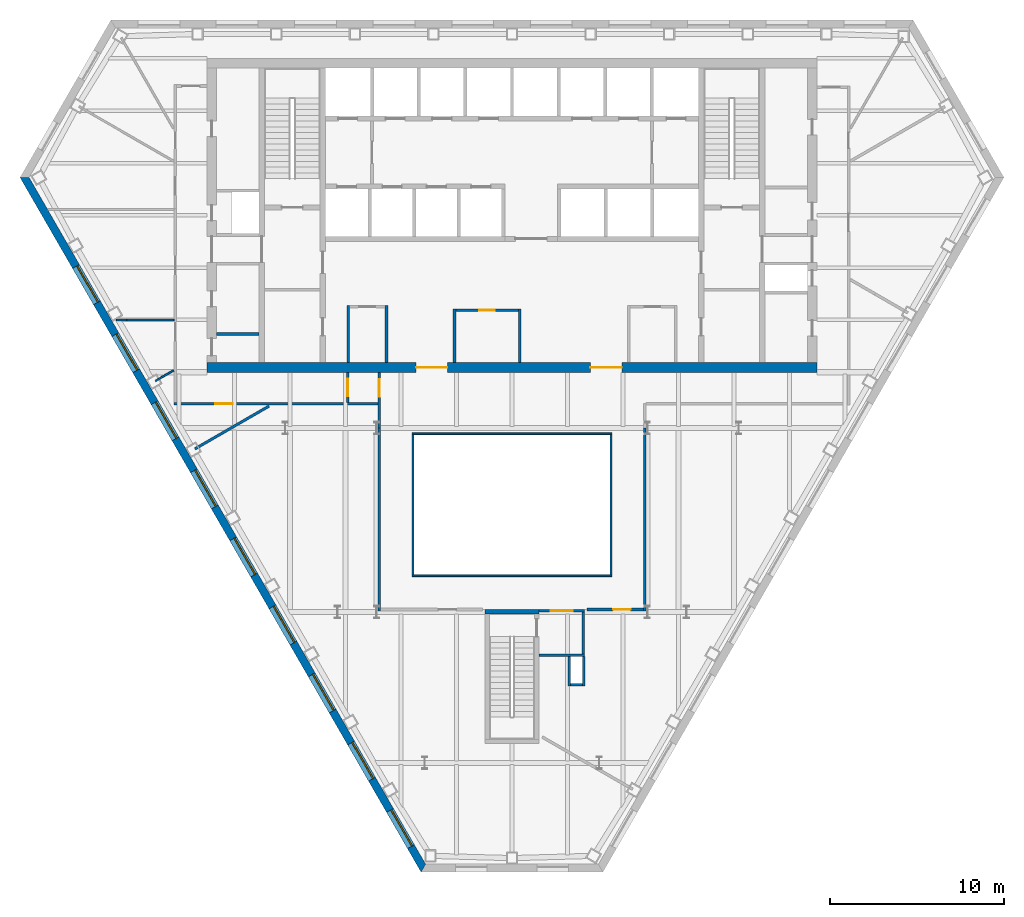
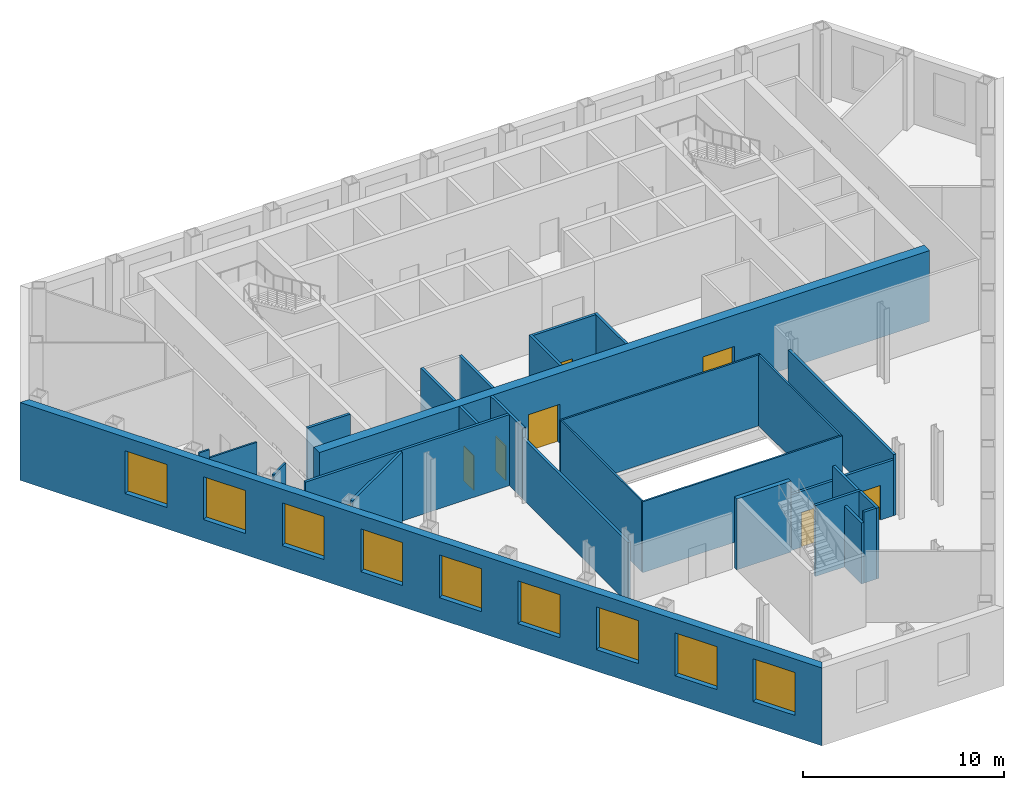
# One storey, part 4 of 11: 29 walls, 9 windows, 8 doors, 17 openings.
"""IFC4 building model written with IfcOpenShell, lengths in metres."""

from ifc_helpers import new_model, si_unit, direction, frame, frame_2d, origin, place, context, subcontext, project, spatial, polyline, rectangle, outline, extrude, material, layer, layer_set, type_object, element, fill, save


model = new_model("IFC4")

# Units and contexts
model_context = context("Model", 3, precision=1e-05, world=origin(), true_north=direction((0.0, 1.0)))
body_context = subcontext(model_context, "Body", "Model", "MODEL_VIEW")
ifc_project = project(units=[si_unit("LENGTHUNIT", "METRE"), si_unit("AREAUNIT", "SQUARE_METRE"), si_unit("VOLUMEUNIT", "CUBIC_METRE"), si_unit("PLANEANGLEUNIT", "RADIAN"), si_unit("MASSUNIT", "GRAM", prefix="KILO")], contexts=[model_context])

# Site, building, storey
site_placement = place(None, origin())
site = spatial("IfcSite", under=ifc_project, at=site_placement, CompositionType="ELEMENT")
building_placement = place(site_placement, origin())
building = spatial("IfcBuilding", under=site, at=building_placement, Name="Njiva Tower", CompositionType="ELEMENT")
storey_placement = place(building_placement, frame((0.0, 0.0, 93.3)))
storey = spatial("IfcBuildingStorey", under=building, at=storey_placement, Name="L19", CompositionType="ELEMENT", Elevation=93.3)

# Walls
ifc_material_1 = material(Name="Blockwork", Category="masonry")
ifc_layer_1 = layer(ifc_material_1, 0.15)
ifc_layer_set_1 = layer_set([ifc_layer_1], Name="Blockwork")
wall_type_1 = type_object("IfcWallType", Name="WT1 Compartment partition 150", PredefinedType="PARTITIONING", material=ifc_layer_set_1)
wall_1_placement = place(storey_placement, frame((-16.95, 2.1948, 0.0), z_axis=(0.0, 0.0, 1.0), x_axis=(1.0, 0.0, 0.0)))
element("IfcWall", 1, at=wall_1_placement, inside=storey, type_object=wall_type_1, Name="Partition strip W00", PredefinedType="PARTITIONING", context=body_context, shape_type="SweptSolid", body=[
    extrude(rectangle(XDim=2.45, YDim=0.15, at=frame_2d((1.225, 0.0))), origin(), (0.0, 0.0, 1.0), 4.3),
])
for number, where, z_axis, x_axis, name in (
    (2, (-9.4, 0.55, 0.0), (0.0, 0.0, 1.0), (0.0, 1.0, 0.0), "Concierge office wall west"),
    (3, (-7.2, 0.55, 0.0), (0.0, 0.0, 1.0), (0.0, 1.0, 0.0), "Concierge office wall east"),
):
    element("IfcWall", number, at=place(storey_placement, frame(where, z_axis=z_axis, x_axis=x_axis)), inside=storey, type_object=wall_type_1, Name=name, PredefinedType="PARTITIONING", context=body_context, shape_type="SweptSolid", body=[
        extrude(rectangle(XDim=3.275, YDim=0.15, at=frame_2d((1.6375, 0.0))), origin(), (0.0, 0.0, 1.0), 4.3),
    ])
for number, where, z_axis, x_axis, name in (
    (4, (-3.3, 0.55, 0.0), (0.0, 0.0, 1.0), (0.0, 1.0, 0.0), "Post room wall west"),
    (5, (0.45, 0.55, 0.0), (0.0, 0.0, 1.0), (0.0, 1.0, 0.0), "Post room wall east"),
):
    element("IfcWall", number, at=place(storey_placement, frame(where, z_axis=z_axis, x_axis=x_axis)), inside=storey, type_object=wall_type_1, Name=name, PredefinedType="PARTITIONING", context=body_context, shape_type="SweptSolid", body=[
        extrude(rectangle(XDim=3.075, YDim=0.15, at=frame_2d((1.5375, 0.0))), origin(), (0.0, 0.0, 1.0), 4.3),
    ])

# Wall, opening, door
wall_2_placement = place(storey_placement, frame((-3.225, 3.55, 0.0), z_axis=(0.0, 0.0, 1.0), x_axis=(1.0, 0.0, 0.0)))
wall_2 = element("IfcWall", 6, at=wall_2_placement, inside=storey, type_object=wall_type_1, Name="Post room wall north", PredefinedType="PARTITIONING", context=body_context, shape_type="SweptSolid", body=[
    extrude(rectangle(XDim=3.6, YDim=0.15, at=frame_2d((1.8, 0.0))), origin(), (0.0, 0.0, 1.0), 4.3),
])
opening_1_placement = place(wall_2_placement, frame((1.35, 0.0, 0.0)))
opening_1 = element("IfcOpeningElement", 7, at=opening_1_placement, cuts=wall_2, Name="Opening S06-D933", PredefinedType="OPENING", context=body_context, shape_type="SweptSolid", body=[
    extrude(rectangle(XDim=0.9, YDim=2.1, at=frame_2d((0.45, 1.05))), frame((0.0, 0.085, 0.0), z_axis=(0.0, -1.0, 0.0), x_axis=(1.0, 0.0, 0.0)), (0.0, 0.0, 1.0), 0.17),
])
ifc_material_2 = material(Name="Steel fire door, painted", Category="steel")
door_type_1 = type_object("IfcDoorType", Name="D6 Fire-rated door 900x2100", OperationType="SINGLE_SWING_LEFT", PredefinedType="DOOR", material=ifc_material_2)
door_1_placement = place(opening_1_placement, origin())
door_1 = element("IfcDoor", 8, at=door_1_placement, inside=storey, type_object=door_type_1, Name="Post room door", OperationType="SINGLE_SWING_LEFT", OverallHeight=2.1, OverallWidth=0.9, PredefinedType="DOOR", context=body_context, shape_type="SweptSolid", body=[
    extrude(rectangle(XDim=0.9, YDim=2.1, at=frame_2d((0.45, 1.05))), frame((0.0, 0.025, 0.0), z_axis=(0.0, -1.0, 0.0), x_axis=(1.0, 0.0, 0.0)), (0.0, 0.0, 1.0), 0.05),
])
fill(opening_1, door_1)

# Wall, openings, doors
ifc_material_3 = material(Name="Concrete C60/75", Category="concrete")
ifc_layer_2 = layer(ifc_material_3, 0.55)
ifc_layer_set_2 = layer_set([ifc_layer_2], Name="Concrete C60/75")
wall_type_2 = type_object("IfcWallType", Name="WT14 Core wall 550", PredefinedType="SHEAR", material=ifc_layer_set_2)
wall_3_placement = place(storey_placement, frame((-17.5, 0.275, 0.0), z_axis=(0.0, 0.0, 1.0), x_axis=(1.0, 0.0, 0.0)))
wall_3 = element("IfcWall", 9, at=wall_3_placement, inside=storey, type_object=wall_type_2, Name="Core wall south", PredefinedType="SHEAR", context=body_context, shape_type="SweptSolid", body=[
    extrude(rectangle(XDim=35.0, YDim=0.55, at=frame_2d((17.5, 0.0))), origin(), (0.0, 0.0, 1.0), 4.3),
])
opening_2_placement = place(wall_3_placement, frame((12.0, 0.0, 0.0)))
opening_2 = element("IfcOpeningElement", 10, at=opening_2_placement, cuts=wall_3, Name="Opening S06-D936", PredefinedType="OPENING", context=body_context, shape_type="SweptSolid", body=[
    extrude(rectangle(XDim=1.8, YDim=2.4, at=frame_2d((0.9, 1.2))), frame((0.0, 0.285, 0.0), z_axis=(0.0, -1.0, 0.0), x_axis=(1.0, 0.0, 0.0)), (0.0, 0.0, 1.0), 0.57),
])
opening_3_placement = place(wall_3_placement, frame((22.0, 0.0, 0.0)))
opening_3 = element("IfcOpeningElement", 11, at=opening_3_placement, cuts=wall_3, Name="Opening S06-D937", PredefinedType="OPENING", context=body_context, shape_type="SweptSolid", body=[
    extrude(rectangle(XDim=1.8, YDim=2.4, at=frame_2d((0.9, 1.2))), frame((0.0, 0.285, 0.0), z_axis=(0.0, -1.0, 0.0), x_axis=(1.0, 0.0, 0.0)), (0.0, 0.0, 1.0), 0.57),
])
ifc_material_4 = material(Name="Steel and glass door", Category="steel")
door_type_2 = type_object("IfcDoorType", Name="D3 Core entrance door 1800x2400", OperationType="DOUBLE_DOOR_SINGLE_SWING", PredefinedType="DOOR", material=ifc_material_4)
door_2_placement = place(opening_2_placement, origin())
door_2 = element("IfcDoor", 12, at=door_2_placement, inside=storey, type_object=door_type_2, Name="Core entrance door", OperationType="DOUBLE_DOOR_SINGLE_SWING", OverallHeight=2.4, OverallWidth=1.8, PredefinedType="DOOR", context=body_context, shape_type="SweptSolid", body=[
    extrude(rectangle(XDim=1.8, YDim=2.4, at=frame_2d((0.9, 1.2))), frame((0.0, 0.025, 0.0), z_axis=(0.0, -1.0, 0.0), x_axis=(1.0, 0.0, 0.0)), (0.0, 0.0, 1.0), 0.05),
])
fill(opening_2, door_2)
door_3_placement = place(opening_3_placement, origin())
door_3 = element("IfcDoor", 13, at=door_3_placement, inside=storey, type_object=door_type_2, Name="Core entrance door", OperationType="DOUBLE_DOOR_SINGLE_SWING", OverallHeight=2.4, OverallWidth=1.8, PredefinedType="DOOR", context=body_context, shape_type="SweptSolid", body=[
    extrude(rectangle(XDim=1.8, YDim=2.4, at=frame_2d((0.9, 1.2))), frame((0.0, 0.025, 0.0), z_axis=(0.0, -1.0, 0.0), x_axis=(1.0, 0.0, 0.0)), (0.0, 0.0, 1.0), 0.05),
])
fill(opening_3, door_3)

# Walls
ifc_material_5 = material(Name="Gypsum board on steel studs", Category="gypsum")
ifc_layer_3 = layer(ifc_material_5, 0.1)
ifc_layer_set_3 = layer_set([ifc_layer_3], Name="Gypsum board on steel studs")
wall_type_3 = type_object("IfcWallType", Name="WT20 Gypsum partition 100", PredefinedType="PARTITIONING", material=ifc_layer_set_3)
wall_4_placement = place(storey_placement, frame((-22.68, 3.004, 0.0), z_axis=(0.0, 0.0, 1.0), x_axis=(0.999998795663, -0.001551989854, 0.0)))
element("IfcWall", 14, at=wall_4_placement, inside=storey, type_object=wall_type_3, Name="Partition S06-P003", PredefinedType="PARTITIONING", context=body_context, shape_type="SweptSolid", body=[
    extrude(rectangle(XDim=0.5799, YDim=0.1, at=frame_2d((0.29, 0.0))), origin(), (0.0, 0.0, 1.0), 4.3),
])
wall_5_placement = place(storey_placement, frame((-22.1001, 3.0031, 0.0), z_axis=(0.0, 0.0, 1.0), x_axis=(0.999998868194, -0.001504530241, 0.0)))
element("IfcWall", 15, at=wall_5_placement, inside=storey, type_object=wall_type_3, Name="Partition S06-P003A", PredefinedType="PARTITIONING", context=body_context, shape_type="SweptSolid", body=[
    extrude(rectangle(XDim=2.7251, YDim=0.1, at=frame_2d((1.3626, 0.0))), origin(), (0.0, 0.0, 1.0), 3.8),
])
wall_6_placement = place(storey_placement, frame((-20.44, -0.49, 0.0), z_axis=(0.0, 0.0, 1.0), x_axis=(0.866546020567, 0.499097179154, 0.0)))
element("IfcWall", 16, at=wall_6_placement, inside=storey, type_object=wall_type_3, Name="Partition S06-P005", PredefinedType="PARTITIONING", context=body_context, shape_type="SweptSolid", body=[
    extrude(rectangle(XDim=1.2002, YDim=0.1, at=frame_2d((0.6001, 0.0))), origin(), (0.0, 0.0, 1.0), 4.3),
])

# Wall, opening, door
ifc_layer_4 = layer(ifc_material_5, 0.15)
ifc_layer_set_4 = layer_set([ifc_layer_4], Name="Gypsum board on steel studs")
wall_type_4 = type_object("IfcWallType", Name="WT21 Compartment wall 150", PredefinedType="PARTITIONING", material=ifc_layer_set_4)
wall_7_placement = place(storey_placement, frame((-19.375, -1.8, 0.0), z_axis=(0.0, 0.0, 1.0), x_axis=(1.0, 0.0, 0.0)))
wall_7 = element("IfcWall", 17, at=wall_7_placement, inside=storey, type_object=wall_type_4, Name="Partition S06-P006", PredefinedType="PARTITIONING", context=body_context, shape_type="SweptSolid", body=[
    extrude(rectangle(XDim=11.69, YDim=0.15, at=frame_2d((5.845, 0.0))), origin(), (0.0, 0.0, 1.0), 4.3),
])
opening_4_placement = place(wall_7_placement, frame((2.365, 0.0, 0.0)))
opening_4 = element("IfcOpeningElement", 18, at=opening_4_placement, cuts=wall_7, Name="Opening S06-D001", PredefinedType="OPENING", context=body_context, shape_type="SweptSolid", body=[
    extrude(rectangle(XDim=1.0, YDim=2.1, at=frame_2d((0.5, 1.05))), frame((0.0, 0.085, 0.0), z_axis=(0.0, -1.0, 0.0), x_axis=(1.0, 0.0, 0.0)), (0.0, 0.0, 1.0), 0.17),
])
ifc_material_6 = material(Name="Steel fire door set", Category="steel")
door_type_3 = type_object("IfcDoorType", Name="D37 Fire door 1000x2100", OperationType="SINGLE_SWING_LEFT", PredefinedType="DOOR", material=ifc_material_6)
door_4_placement = place(opening_4_placement, origin())
door_4 = element("IfcDoor", 19, at=door_4_placement, inside=storey, type_object=door_type_3, Name="Door S06-D001", OperationType="SINGLE_SWING_LEFT", OverallHeight=2.1, OverallWidth=1.0, PredefinedType="DOOR", context=body_context, shape_type="SweptSolid", body=[
    extrude(rectangle(XDim=1.0, YDim=2.1, at=frame_2d((0.5, 1.05))), frame((0.0, 0.025, 0.0), z_axis=(0.0, -1.0, 0.0), x_axis=(1.0, 0.0, 0.0)), (0.0, 0.0, 1.0), 0.05),
])
fill(opening_4, door_4)

# Wall
wall_8_placement = place(storey_placement, frame((-18.186, -4.394, 0.0), z_axis=(0.0, 0.0, 1.0), x_axis=(0.866053278629, 0.499951716245, 0.0)))
element("IfcWall", 20, at=wall_8_placement, inside=storey, type_object=wall_type_4, Name="Partition S06-P011", PredefinedType="PARTITIONING", context=body_context, shape_type="SweptSolid", body=[
    extrude(rectangle(XDim=4.9085, YDim=0.15, at=frame_2d((2.4542, 0.0))), origin(), (0.0, 0.0, 1.0), 4.3),
])

# Wall, opening, door
wall_9_placement = place(storey_placement, frame((-9.41, -1.725, 0.0), z_axis=(0.0, 0.0, 1.0), x_axis=(0.0, 1.0, 0.0)))
wall_9 = element("IfcWall", 21, at=wall_9_placement, inside=storey, type_object=wall_type_4, Name="Partition S06-P012", PredefinedType="PARTITIONING", context=body_context, shape_type="SweptSolid", body=[
    extrude(rectangle(XDim=1.725, YDim=0.15, at=frame_2d((0.8625, 0.0))), origin(), (0.0, 0.0, 1.0), 4.3),
])
opening_5_placement = place(wall_9_placement, frame((0.363, 0.0, 0.0)))
opening_5 = element("IfcOpeningElement", 22, at=opening_5_placement, cuts=wall_9, Name="Opening S06-D007", PredefinedType="OPENING", context=body_context, shape_type="SweptSolid", body=[
    extrude(rectangle(XDim=1.0, YDim=2.1, at=frame_2d((0.5, 1.05))), frame((0.0, 0.085, 0.0), z_axis=(0.0, -1.0, 0.0), x_axis=(1.0, 0.0, 0.0)), (0.0, 0.0, 1.0), 0.17),
])
door_5_placement = place(opening_5_placement, origin())
door_5 = element("IfcDoor", 23, at=door_5_placement, inside=storey, type_object=door_type_3, Name="Door S06-D007", OperationType="SINGLE_SWING_LEFT", OverallHeight=2.1, OverallWidth=1.0, PredefinedType="DOOR", context=body_context, shape_type="SweptSolid", body=[
    extrude(rectangle(XDim=1.0, YDim=2.1, at=frame_2d((0.5, 1.05))), frame((0.0, 0.025, 0.0), z_axis=(0.0, -1.0, 0.0), x_axis=(1.0, 0.0, 0.0)), (0.0, 0.0, 1.0), 0.05),
])
fill(opening_5, door_5)

# Wall
wall_10_placement = place(storey_placement, frame((-7.61, -13.675, 0.0), z_axis=(0.0, 0.0, 1.0), x_axis=(0.0, 1.0, 0.0)))
element("IfcWall", 24, at=wall_10_placement, inside=storey, type_object=wall_type_4, Name="Partition S06-P013", PredefinedType="PARTITIONING", context=body_context, shape_type="SweptSolid", body=[
    extrude(rectangle(XDim=10.475, YDim=0.15, at=frame_2d((5.2375, 0.0))), origin(), (0.0, 0.0, 1.0), 3.7),
])

# Wall, opening, door
wall_11_placement = place(storey_placement, frame((-7.61, -3.2, 0.0), z_axis=(0.0, 0.0, 1.0), x_axis=(0.0, 1.0, 0.0)))
wall_11 = element("IfcWall", 25, at=wall_11_placement, inside=storey, type_object=wall_type_4, Name="Partition S06-P013A", PredefinedType="PARTITIONING", context=body_context, shape_type="SweptSolid", body=[
    extrude(rectangle(XDim=3.2, YDim=0.15, at=frame_2d((1.6, 0.0))), origin(), (0.0, 0.0, 1.0), 4.3),
])
opening_6_placement = place(wall_11_placement, frame((1.8, 0.0, 0.0)))
opening_6 = element("IfcOpeningElement", 26, at=opening_6_placement, cuts=wall_11, Name="Opening S06-D008", PredefinedType="OPENING", context=body_context, shape_type="SweptSolid", body=[
    extrude(rectangle(XDim=1.0, YDim=2.1, at=frame_2d((0.5, 1.05))), frame((0.0, 0.085, 0.0), z_axis=(0.0, -1.0, 0.0), x_axis=(1.0, 0.0, 0.0)), (0.0, 0.0, 1.0), 0.17),
])
door_6_placement = place(opening_6_placement, origin())
door_6 = element("IfcDoor", 27, at=door_6_placement, inside=storey, type_object=door_type_3, Name="Door S06-D008", OperationType="SINGLE_SWING_LEFT", OverallHeight=2.1, OverallWidth=1.0, PredefinedType="DOOR", context=body_context, shape_type="SweptSolid", body=[
    extrude(rectangle(XDim=1.0, YDim=2.1, at=frame_2d((0.5, 1.05))), frame((0.0, 0.025, 0.0), z_axis=(0.0, -1.0, 0.0), x_axis=(1.0, 0.0, 0.0)), (0.0, 0.0, 1.0), 0.05),
])
fill(opening_6, door_6)

wall_12_placement = place(storey_placement, frame((4.3, -13.6, 0.0), z_axis=(0.0, 0.0, 1.0), x_axis=(1.0, 0.0, 0.0)))
wall_12 = element("IfcWall", 28, at=wall_12_placement, inside=storey, type_object=wall_type_4, Name="Partition S06-P016", PredefinedType="PARTITIONING", context=body_context, shape_type="SweptSolid", body=[
    extrude(rectangle(XDim=3.235, YDim=0.15, at=frame_2d((1.6175, 0.0))), origin(), (0.0, 0.0, 1.0), 3.39),
])
opening_7_placement = place(wall_12_placement, frame((1.498, 0.0, 0.0)))
opening_7 = element("IfcOpeningElement", 29, at=opening_7_placement, cuts=wall_12, Name="Opening S06-D010", PredefinedType="OPENING", context=body_context, shape_type="SweptSolid", body=[
    extrude(rectangle(XDim=1.0, YDim=2.1, at=frame_2d((0.5, 1.05))), frame((0.0, 0.085, 0.0), z_axis=(0.0, -1.0, 0.0), x_axis=(1.0, 0.0, 0.0)), (0.0, 0.0, 1.0), 0.17),
])
door_7_placement = place(opening_7_placement, origin())
door_7 = element("IfcDoor", 30, at=door_7_placement, inside=storey, type_object=door_type_3, Name="Door S06-D010", OperationType="SINGLE_SWING_RIGHT", OverallHeight=2.1, OverallWidth=1.0, PredefinedType="DOOR", context=body_context, shape_type="SweptSolid", body=[
    extrude(rectangle(XDim=1.0, YDim=2.1, at=frame_2d((0.5, 1.05))), frame((0.0, 0.025, 0.0), z_axis=(0.0, -1.0, 0.0), x_axis=(1.0, 0.0, 0.0)), (0.0, 0.0, 1.0), 0.05),
])
fill(opening_7, door_7)

# Walls
wall_13_placement = place(storey_placement, frame((7.61, -13.675, 0.0), z_axis=(0.0, 0.0, 1.0), x_axis=(0.0, 1.0, 0.0)))
element("IfcWall", 31, at=wall_13_placement, inside=storey, type_object=wall_type_4, Name="Partition S06-P017", PredefinedType="PARTITIONING", context=body_context, shape_type="SweptSolid", body=[
    extrude(rectangle(XDim=10.475, YDim=0.15, at=frame_2d((5.2375, 0.0))), origin(), (0.0, 0.0, 1.0), 3.7),
])
ifc_layer_5 = layer(ifc_material_1, 0.15)
ifc_layer_set_5 = layer_set([ifc_layer_5], Name="Blockwork")
wall_type_5 = type_object("IfcWallType", Name="WT4 Stair partition 150", PredefinedType="PARTITIONING", material=ifc_layer_set_5)
wall_14_placement = place(storey_placement, frame((1.55, -16.225, 0.0), z_axis=(0.0, 0.0, 1.0), x_axis=(1.0, 0.0, 0.0)))
element("IfcWall", 32, at=wall_14_placement, inside=storey, type_object=wall_type_5, Name="Stair C vestibule wall south", PredefinedType="PARTITIONING", context=body_context, shape_type="SweptSolid", body=[
    extrude(rectangle(XDim=2.6, YDim=0.15, at=frame_2d((1.3, 0.0))), origin(), (0.0, 0.0, 1.0), 4.3),
])
wall_15_placement = place(storey_placement, frame((4.075, -16.15, 0.0), z_axis=(0.0, 0.0, 1.0), x_axis=(0.0, 1.0, 0.0)))
element("IfcWall", 33, at=wall_15_placement, inside=storey, type_object=wall_type_5, Name="Stair C vestibule wall east", PredefinedType="PARTITIONING", context=body_context, shape_type="SweptSolid", body=[
    extrude(rectangle(XDim=2.4, YDim=0.15, at=frame_2d((1.2, 0.0))), origin(), (0.0, 0.0, 1.0), 4.3),
])

# Wall, opening, door
wall_16_placement = place(storey_placement, frame((1.55, -13.675, 0.0), z_axis=(0.0, 0.0, 1.0), x_axis=(1.0, 0.0, 0.0)))
wall_16 = element("IfcWall", 34, at=wall_16_placement, inside=storey, type_object=wall_type_5, Name="Stair C vestibule wall north", PredefinedType="PARTITIONING", context=body_context, shape_type="SweptSolid", body=[
    extrude(rectangle(XDim=2.6, YDim=0.15, at=frame_2d((1.3, 0.0))), origin(), (0.0, 0.0, 1.0), 3.39),
])
opening_8_placement = place(wall_16_placement, frame((0.675, 0.0, 0.0)))
opening_8 = element("IfcOpeningElement", 35, at=opening_8_placement, cuts=wall_16, Name="Opening S06-D939", PredefinedType="OPENING", context=body_context, shape_type="SweptSolid", body=[
    extrude(rectangle(XDim=1.25, YDim=2.1, at=frame_2d((0.625, 1.05))), frame((0.0, 0.085, 0.0), z_axis=(0.0, -1.0, 0.0), x_axis=(1.0, 0.0, 0.0)), (0.0, 0.0, 1.0), 0.17),
])
ifc_material_7 = material(Name="Glazed steel fire door", Category="steel")
door_type_4 = type_object("IfcDoorType", Name="D8 Vestibule corridor door 1250x2100 glazed", OperationType="SINGLE_SWING_LEFT", PredefinedType="DOOR", material=ifc_material_7)
door_8_placement = place(opening_8_placement, origin())
door_8 = element("IfcDoor", 36, at=door_8_placement, inside=storey, type_object=door_type_4, Name="Stair vestibule corridor door", OperationType="SINGLE_SWING_RIGHT", OverallHeight=2.1, OverallWidth=1.25, PredefinedType="DOOR", context=body_context, shape_type="SweptSolid", body=[
    extrude(rectangle(XDim=1.25, YDim=2.1, at=frame_2d((0.625, 1.05))), frame((0.0, 0.025, 0.0), z_axis=(0.0, -1.0, 0.0), x_axis=(1.0, 0.0, 0.0)), (0.0, 0.0, 1.0), 0.05),
])
fill(opening_8, door_8)

# Walls
wall_17_placement = place(storey_placement, frame((3.275, -18.0, 0.0), z_axis=(0.0, 0.0, 1.0), x_axis=(0.0, 1.0, 0.0)))
element("IfcWall", 37, at=wall_17_placement, inside=storey, type_object=wall_type_5, Name="Stair C pressurisation shaft wall", PredefinedType="PARTITIONING", context=body_context, shape_type="SweptSolid", body=[
    extrude(rectangle(XDim=1.7, YDim=0.15, at=frame_2d((0.85, 0.0))), origin(), (0.0, 0.0, 1.0), 3.7),
])
wall_18_placement = place(storey_placement, frame((3.35, -17.925, 0.0), z_axis=(0.0, 0.0, 1.0), x_axis=(1.0, 0.0, 0.0)))
element("IfcWall", 38, at=wall_18_placement, inside=storey, type_object=wall_type_5, Name="Stair C pressurisation shaft wall", PredefinedType="PARTITIONING", context=body_context, shape_type="SweptSolid", body=[
    extrude(rectangle(XDim=0.7, YDim=0.15, at=frame_2d((0.35, 0.0))), origin(), (0.0, 0.0, 1.0), 4.3),
])
wall_19_placement = place(storey_placement, frame((4.125, -18.0, 0.0), z_axis=(0.0, 0.0, 1.0), x_axis=(0.0, 1.0, 0.0)))
element("IfcWall", 39, at=wall_19_placement, inside=storey, type_object=wall_type_5, Name="Stair C pressurisation shaft wall", PredefinedType="PARTITIONING", context=body_context, shape_type="SweptSolid", body=[
    extrude(rectangle(XDim=1.7, YDim=0.15, at=frame_2d((0.85, 0.0))), origin(), (0.0, 0.0, 1.0), 4.3),
])
ifc_material_8 = material(Name="Concrete C40/50", Category="concrete")
ifc_layer_6 = layer(ifc_material_8, 0.25)
ifc_layer_set_6 = layer_set([ifc_layer_6], Name="Concrete C40/50")
wall_type_6 = type_object("IfcWallType", Name="WT9 Stair enclosure wall 250", PredefinedType="SHEAR", material=ifc_layer_set_6)
wall_20_placement = place(storey_placement, frame((-1.55, -13.725, 0.0), z_axis=(0.0, 0.0, 1.0), x_axis=(1.0, 0.0, 0.0)))
element("IfcWall", 40, at=wall_20_placement, inside=storey, type_object=wall_type_6, Name="Stair C wall north", PredefinedType="SHEAR", context=body_context, shape_type="SweptSolid", body=[
    extrude(rectangle(XDim=3.1, YDim=0.25, at=frame_2d((1.55, 0.0))), origin(), (0.0, 0.0, 1.0), 4.3),
])

# Wall, openings, windows
ifc_material_9 = material(Name="Brick masonry", Category="masonry")
ifc_layer_7 = layer(ifc_material_9, 0.45)
ifc_layer_set_7 = layer_set([ifc_layer_7], Name="Brick masonry")
wall_type_7 = type_object("IfcWallType", Name="WT90 Brick pier and spandrel wall 450", PredefinedType="SOLIDWALL", material=ifc_layer_set_7)
wall_21_placement = place(storey_placement, frame((-27.9502, 11.1674, -0.4), z_axis=(0.0, 0.0, 1.0), x_axis=(0.499999194392, -0.866025868902, 0.0)))
wall_21 = element("IfcWall", 41, at=wall_21_placement, inside=storey, type_object=wall_type_7, Name="Facade wall SW", PredefinedType="SOLIDWALL", context=body_context, shape_type="SweptSolid", body=[
    extrude(outline(polyline([(-0.1299, -0.225), (45.8602, -0.225), (45.6004, 0.225), (0.1299, 0.225), (-0.1299, -0.225)])), origin(), (0.0, 0.0, 1.0), 4.72),
])
opening_9_placement = place(wall_21_placement, frame((5.8919, 0.0, 1.3)))
opening_9 = element("IfcOpeningElement", 42, at=opening_9_placement, cuts=wall_21, Name="Opening S06-W13", PredefinedType="OPENING", context=body_context, shape_type="SweptSolid", body=[
    extrude(rectangle(XDim=2.4, YDim=2.6, at=frame_2d((1.2, 1.3))), frame((0.0, 0.235, 0.0), z_axis=(0.0, -1.0, 0.0), x_axis=(1.0, 0.0, 0.0)), (0.0, 0.0, 1.0), 0.47),
])
opening_10_placement = place(wall_21_placement, frame((10.3985, 0.0, 1.3)))
opening_10 = element("IfcOpeningElement", 43, at=opening_10_placement, cuts=wall_21, Name="Opening S06-W14", PredefinedType="OPENING", context=body_context, shape_type="SweptSolid", body=[
    extrude(rectangle(XDim=2.4, YDim=2.6, at=frame_2d((1.2, 1.3))), frame((0.0, 0.235, 0.0), z_axis=(0.0, -1.0, 0.0), x_axis=(1.0, 0.0, 0.0)), (0.0, 0.0, 1.0), 0.47),
])
opening_11_placement = place(wall_21_placement, frame((14.9052, 0.0, 1.3)))
opening_11 = element("IfcOpeningElement", 44, at=opening_11_placement, cuts=wall_21, Name="Opening S06-W15", PredefinedType="OPENING", context=body_context, shape_type="SweptSolid", body=[
    extrude(rectangle(XDim=2.4, YDim=2.6, at=frame_2d((1.2, 1.3))), frame((0.0, 0.235, 0.0), z_axis=(0.0, -1.0, 0.0), x_axis=(1.0, 0.0, 0.0)), (0.0, 0.0, 1.0), 0.47),
])
opening_12_placement = place(wall_21_placement, frame((19.4118, 0.0, 1.3)))
opening_12 = element("IfcOpeningElement", 45, at=opening_12_placement, cuts=wall_21, Name="Opening S06-W16", PredefinedType="OPENING", context=body_context, shape_type="SweptSolid", body=[
    extrude(rectangle(XDim=2.4, YDim=2.6, at=frame_2d((1.2, 1.3))), frame((0.0, 0.235, 0.0), z_axis=(0.0, -1.0, 0.0), x_axis=(1.0, 0.0, 0.0)), (0.0, 0.0, 1.0), 0.47),
])
opening_13_placement = place(wall_21_placement, frame((23.9184, 0.0, 1.3)))
opening_13 = element("IfcOpeningElement", 46, at=opening_13_placement, cuts=wall_21, Name="Opening S06-W17", PredefinedType="OPENING", context=body_context, shape_type="SweptSolid", body=[
    extrude(rectangle(XDim=2.4, YDim=2.6, at=frame_2d((1.2, 1.3))), frame((0.0, 0.235, 0.0), z_axis=(0.0, -1.0, 0.0), x_axis=(1.0, 0.0, 0.0)), (0.0, 0.0, 1.0), 0.47),
])
opening_14_placement = place(wall_21_placement, frame((28.425, 0.0, 1.3)))
opening_14 = element("IfcOpeningElement", 47, at=opening_14_placement, cuts=wall_21, Name="Opening S06-W18", PredefinedType="OPENING", context=body_context, shape_type="SweptSolid", body=[
    extrude(rectangle(XDim=2.4, YDim=2.6, at=frame_2d((1.2, 1.3))), frame((0.0, 0.235, 0.0), z_axis=(0.0, -1.0, 0.0), x_axis=(1.0, 0.0, 0.0)), (0.0, 0.0, 1.0), 0.47),
])
opening_15_placement = place(wall_21_placement, frame((32.9316, 0.0, 1.3)))
opening_15 = element("IfcOpeningElement", 48, at=opening_15_placement, cuts=wall_21, Name="Opening S06-W19", PredefinedType="OPENING", context=body_context, shape_type="SweptSolid", body=[
    extrude(rectangle(XDim=2.4, YDim=2.6, at=frame_2d((1.2, 1.3))), frame((0.0, 0.235, 0.0), z_axis=(0.0, -1.0, 0.0), x_axis=(1.0, 0.0, 0.0)), (0.0, 0.0, 1.0), 0.47),
])
opening_16_placement = place(wall_21_placement, frame((37.4383, 0.0, 1.3)))
opening_16 = element("IfcOpeningElement", 49, at=opening_16_placement, cuts=wall_21, Name="Opening S06-W20", PredefinedType="OPENING", context=body_context, shape_type="SweptSolid", body=[
    extrude(rectangle(XDim=2.4, YDim=2.6, at=frame_2d((1.2, 1.3))), frame((0.0, 0.235, 0.0), z_axis=(0.0, -1.0, 0.0), x_axis=(1.0, 0.0, 0.0)), (0.0, 0.0, 1.0), 0.47),
])
opening_17_placement = place(wall_21_placement, frame((41.9065, 0.0, 1.3)))
opening_17 = element("IfcOpeningElement", 50, at=opening_17_placement, cuts=wall_21, Name="Opening S06-W21", PredefinedType="OPENING", context=body_context, shape_type="SweptSolid", body=[
    extrude(rectangle(XDim=2.4, YDim=2.6, at=frame_2d((1.2, 1.3))), frame((0.0, 0.235, 0.0), z_axis=(0.0, -1.0, 0.0), x_axis=(1.0, 0.0, 0.0)), (0.0, 0.0, 1.0), 0.47),
])
ifc_material_10 = material(Name="Clear glazing in aluminium frame", Category="aluminium")
window_type = type_object("IfcWindowType", Name="W92 Deep-set window 2400x2600", PartitioningType="SINGLE_PANEL", PredefinedType="WINDOW", material=ifc_material_10)
window_1_placement = place(opening_9_placement, origin())
window_1 = element("IfcWindow", 51, at=window_1_placement, inside=storey, type_object=window_type, Name="Window", OverallHeight=2.6, OverallWidth=2.4, PartitioningType="SINGLE_PANEL", PredefinedType="WINDOW", context=body_context, shape_type="SweptSolid", body=[
    extrude(rectangle(XDim=2.4, YDim=2.6, at=frame_2d((1.2, 1.3))), frame((0.0, 0.105, 0.0), z_axis=(0.0, -1.0, 0.0), x_axis=(1.0, 0.0, 0.0)), (0.0, 0.0, 1.0), 0.06),
])
fill(opening_9, window_1)
window_2_placement = place(opening_10_placement, origin())
window_2 = element("IfcWindow", 52, at=window_2_placement, inside=storey, type_object=window_type, Name="Window", OverallHeight=2.6, OverallWidth=2.4, PartitioningType="SINGLE_PANEL", PredefinedType="WINDOW", context=body_context, shape_type="SweptSolid", body=[
    extrude(rectangle(XDim=2.4, YDim=2.6, at=frame_2d((1.2, 1.3))), frame((0.0, 0.105, 0.0), z_axis=(0.0, -1.0, 0.0), x_axis=(1.0, 0.0, 0.0)), (0.0, 0.0, 1.0), 0.06),
])
fill(opening_10, window_2)
window_3_placement = place(opening_11_placement, origin())
window_3 = element("IfcWindow", 53, at=window_3_placement, inside=storey, type_object=window_type, Name="Window", OverallHeight=2.6, OverallWidth=2.4, PartitioningType="SINGLE_PANEL", PredefinedType="WINDOW", context=body_context, shape_type="SweptSolid", body=[
    extrude(rectangle(XDim=2.4, YDim=2.6, at=frame_2d((1.2, 1.3))), frame((0.0, 0.105, 0.0), z_axis=(0.0, -1.0, 0.0), x_axis=(1.0, 0.0, 0.0)), (0.0, 0.0, 1.0), 0.06),
])
fill(opening_11, window_3)
window_4_placement = place(opening_12_placement, origin())
window_4 = element("IfcWindow", 54, at=window_4_placement, inside=storey, type_object=window_type, Name="Window", OverallHeight=2.6, OverallWidth=2.4, PartitioningType="SINGLE_PANEL", PredefinedType="WINDOW", context=body_context, shape_type="SweptSolid", body=[
    extrude(rectangle(XDim=2.4, YDim=2.6, at=frame_2d((1.2, 1.3))), frame((0.0, 0.105, 0.0), z_axis=(0.0, -1.0, 0.0), x_axis=(1.0, 0.0, 0.0)), (0.0, 0.0, 1.0), 0.06),
])
fill(opening_12, window_4)
window_5_placement = place(opening_13_placement, origin())
window_5 = element("IfcWindow", 55, at=window_5_placement, inside=storey, type_object=window_type, Name="Window", OverallHeight=2.6, OverallWidth=2.4, PartitioningType="SINGLE_PANEL", PredefinedType="WINDOW", context=body_context, shape_type="SweptSolid", body=[
    extrude(rectangle(XDim=2.4, YDim=2.6, at=frame_2d((1.2, 1.3))), frame((0.0, 0.105, 0.0), z_axis=(0.0, -1.0, 0.0), x_axis=(1.0, 0.0, 0.0)), (0.0, 0.0, 1.0), 0.06),
])
fill(opening_13, window_5)
window_6_placement = place(opening_14_placement, origin())
window_6 = element("IfcWindow", 56, at=window_6_placement, inside=storey, type_object=window_type, Name="Window", OverallHeight=2.6, OverallWidth=2.4, PartitioningType="SINGLE_PANEL", PredefinedType="WINDOW", context=body_context, shape_type="SweptSolid", body=[
    extrude(rectangle(XDim=2.4, YDim=2.6, at=frame_2d((1.2, 1.3))), frame((0.0, 0.105, 0.0), z_axis=(0.0, -1.0, 0.0), x_axis=(1.0, 0.0, 0.0)), (0.0, 0.0, 1.0), 0.06),
])
fill(opening_14, window_6)
window_7_placement = place(opening_15_placement, origin())
window_7 = element("IfcWindow", 57, at=window_7_placement, inside=storey, type_object=window_type, Name="Window", OverallHeight=2.6, OverallWidth=2.4, PartitioningType="SINGLE_PANEL", PredefinedType="WINDOW", context=body_context, shape_type="SweptSolid", body=[
    extrude(rectangle(XDim=2.4, YDim=2.6, at=frame_2d((1.2, 1.3))), frame((0.0, 0.105, 0.0), z_axis=(0.0, -1.0, 0.0), x_axis=(1.0, 0.0, 0.0)), (0.0, 0.0, 1.0), 0.06),
])
fill(opening_15, window_7)
window_8_placement = place(opening_16_placement, origin())
window_8 = element("IfcWindow", 58, at=window_8_placement, inside=storey, type_object=window_type, Name="Window", OverallHeight=2.6, OverallWidth=2.4, PartitioningType="SINGLE_PANEL", PredefinedType="WINDOW", context=body_context, shape_type="SweptSolid", body=[
    extrude(rectangle(XDim=2.4, YDim=2.6, at=frame_2d((1.2, 1.3))), frame((0.0, 0.105, 0.0), z_axis=(0.0, -1.0, 0.0), x_axis=(1.0, 0.0, 0.0)), (0.0, 0.0, 1.0), 0.06),
])
fill(opening_16, window_8)
window_9_placement = place(opening_17_placement, origin())
window_9 = element("IfcWindow", 59, at=window_9_placement, inside=storey, type_object=window_type, Name="Window", OverallHeight=2.6, OverallWidth=2.4, PartitioningType="SINGLE_PANEL", PredefinedType="WINDOW", context=body_context, shape_type="SweptSolid", body=[
    extrude(rectangle(XDim=2.4, YDim=2.6, at=frame_2d((1.2, 1.3))), frame((0.0, 0.105, 0.0), z_axis=(0.0, -1.0, 0.0), x_axis=(1.0, 0.0, 0.0)), (0.0, 0.0, 1.0), 0.06),
])
fill(opening_17, window_9)

# Walls
ifc_material_11 = material(Name="Fire-resisting glazing EI 90", Category="glass")
ifc_layer_8 = layer(ifc_material_11, 0.1)
ifc_layer_set_8 = layer_set([ifc_layer_8], Name="Fire-resisting glazing EI 90")
wall_type_8 = type_object("IfcWallType", Name="WT95 Fire-resisting glazed screen EI 90", PredefinedType="PARTITIONING", material=ifc_layer_set_8)
wall_22_placement = place(storey_placement, frame((-5.73, -11.67, 0.0), z_axis=(0.0, 0.0, 1.0), x_axis=(1.0, 0.0, 0.0)))
element("IfcWall", 60, at=wall_22_placement, inside=storey, type_object=wall_type_8, Name="Atrium fire screen south", PredefinedType="PARTITIONING", context=body_context, shape_type="SweptSolid", body=[
    extrude(rectangle(XDim=11.46, YDim=0.1, at=frame_2d((5.73, 0.0))), origin(), (0.0, 0.0, 1.0), 4.3),
])
wall_23_placement = place(storey_placement, frame((5.68, -11.62, 0.0), z_axis=(0.0, 0.0, 1.0), x_axis=(0.0, 1.0, 0.0)))
element("IfcWall", 61, at=wall_23_placement, inside=storey, type_object=wall_type_8, Name="Atrium fire screen east", PredefinedType="PARTITIONING", context=body_context, shape_type="SweptSolid", body=[
    extrude(rectangle(XDim=8.04, YDim=0.1, at=frame_2d((4.02, 0.0))), origin(), (0.0, 0.0, 1.0), 4.3),
])
wall_24_placement = place(storey_placement, frame((5.73, -3.53, 0.0), z_axis=(0.0, 0.0, 1.0), x_axis=(-1.0, 0.0, 0.0)))
element("IfcWall", 62, at=wall_24_placement, inside=storey, type_object=wall_type_8, Name="Atrium fire screen north", PredefinedType="PARTITIONING", context=body_context, shape_type="SweptSolid", body=[
    extrude(rectangle(XDim=11.46, YDim=0.1, at=frame_2d((5.73, 0.0))), origin(), (0.0, 0.0, 1.0), 4.3),
])
wall_25_placement = place(storey_placement, frame((-5.68, -3.58, 0.0), z_axis=(0.0, 0.0, 1.0), x_axis=(0.0, -1.0, 0.0)))
element("IfcWall", 63, at=wall_25_placement, inside=storey, type_object=wall_type_8, Name="Atrium fire screen west", PredefinedType="PARTITIONING", context=body_context, shape_type="SweptSolid", body=[
    extrude(rectangle(XDim=8.04, YDim=0.1, at=frame_2d((4.02, 0.0))), origin(), (0.0, 0.0, 1.0), 4.3),
])

save(model, "model.ifc")
